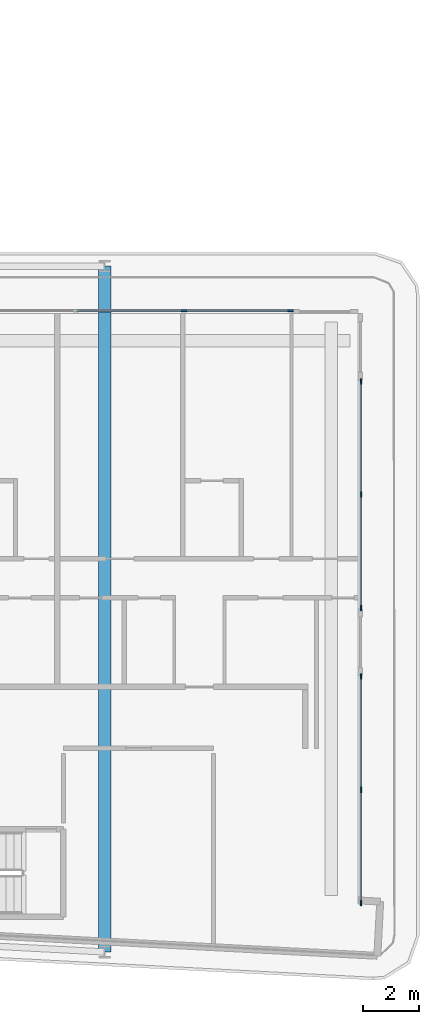
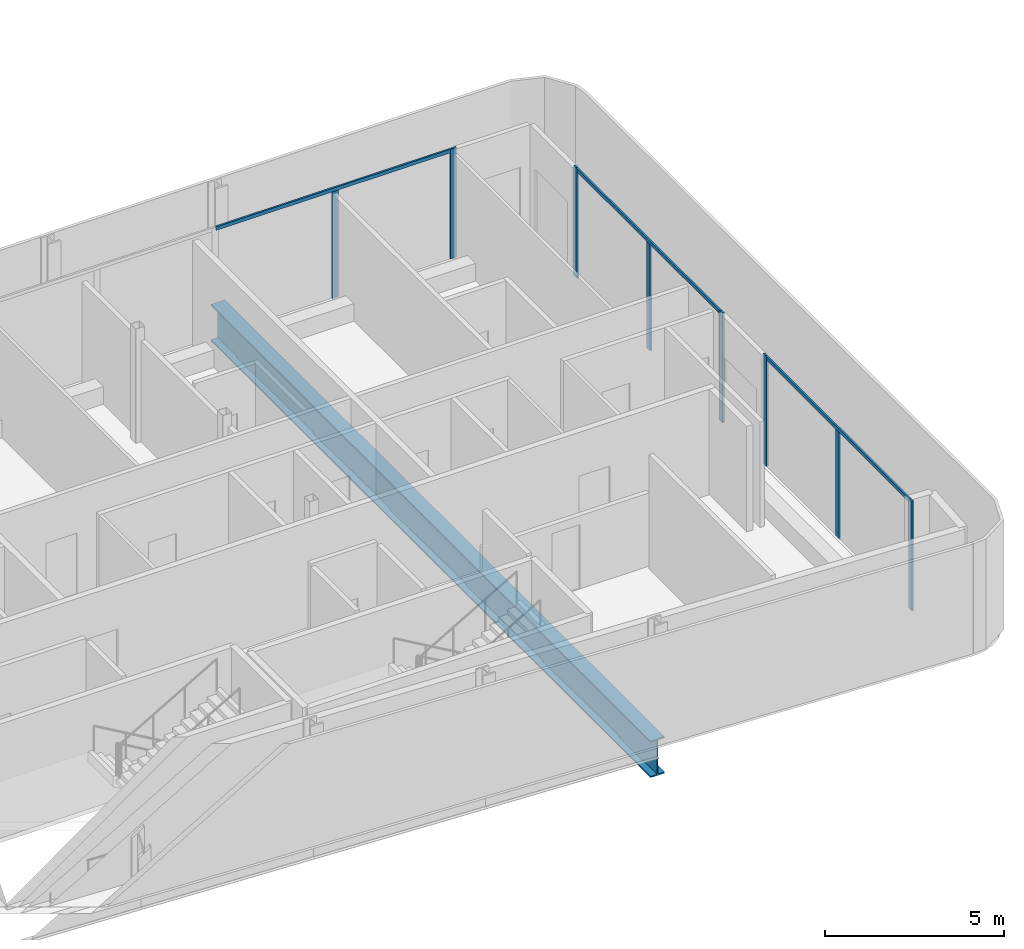
# One storey, part 10 of 30: 11 members, 1 beam, 3 elements without a shape of their own.
"""IFC4 building model written with IfcOpenShell, lengths in metres."""

from ifc_helpers import new_model, si_unit, direction, frame, origin, origin_2d, place, context, subcontext, project, spatial, rectangle, i_section, extrude, material, layer, layer_set, material_profile, profile_set, type_object, element, aggregate, save


model = new_model("IFC4")

# Units and contexts
model_context = context("Model", 3, precision=1e-05, world=origin(), true_north=direction((0.0, 1.0)))
body_context = subcontext(model_context, "Body", "Model", "MODEL_VIEW")
ifc_project = project(units=[si_unit("LENGTHUNIT", "METRE"), si_unit("AREAUNIT", "SQUARE_METRE"), si_unit("VOLUMEUNIT", "CUBIC_METRE"), si_unit("PLANEANGLEUNIT", "RADIAN"), si_unit("MASSUNIT", "GRAM", prefix="KILO")], contexts=[model_context])

# Site, building, storey
site_placement = place(None, origin())
site = spatial("IfcSite", under=ifc_project, at=site_placement, CompositionType="ELEMENT")
building_placement = place(site_placement, origin())
building = spatial("IfcBuilding", under=site, at=building_placement, Name="Kheshtan School and Residences Tower", CompositionType="ELEMENT")
storey_placement = place(building_placement, frame((0.0, 0.0, 199.39990234375)))
storey = spatial("IfcBuildingStorey", under=building, at=storey_placement, Name="L47", CompositionType="ELEMENT", Elevation=199.39990234375)

# Curtain wall, members
ifc_material_1 = material(Name="Clear low-e glass in thermally broken aluminium frame", Category="aluminium")
ifc_layer = layer(ifc_material_1, 0.199951171875)
ifc_layer_set = layer_set([ifc_layer], Name="Curtain wall CW-L")
curtain_wall_type = type_object("IfcCurtainWallType", Name="Curtain wall CW-L", PredefinedType="NOTDEFINED", material=ifc_layer_set)
curtain_wall_1_placement = place(storey_placement, origin())
curtain_wall_1 = element("IfcCurtainWall", 1, at=curtain_wall_1_placement, inside=storey, type_object=curtain_wall_type, Name="Curtain wall CWL12j", PredefinedType="NOTDEFINED")
ifc_material_2 = material(Name="Thermally broken aluminium, dark bronze anodised", Category="aluminium")
ifc_material_profile_1 = material_profile(ifc_material_2, rectangle(XDim=0.06005859375, YDim=0.199951171875, at=origin_2d()), Name="CW-L mullion 60x200")
ifc_profile_set_1 = profile_set([ifc_material_profile_1], Name="Thermally broken aluminium, dark bronze anodised")
member_type_1 = type_object("IfcMemberType", Name="CW-L mullion 60x200", PredefinedType="MULLION", material=ifc_profile_set_1)
member_1_placement = place(storey_placement, frame((93.653076171875, 44.0, 0.0), z_axis=(0.0, 0.0, 1.0), x_axis=(0.0, 1.0, 0.0)))
member_1 = element("IfcMember", 2, at=member_1_placement, type_object=member_type_1, Name="CWL12j mullion 2", PredefinedType="MULLION", context=body_context, shape_type="SweptSolid", body=[
    extrude(rectangle(XDim=0.06005859375, YDim=0.199951171875, at=origin_2d()), origin(), (0.0, 0.0, 1.0), 3.630126953125),
])
member_2_placement = place(storey_placement, frame((97.469970703125, 44.0, 0.0), z_axis=(0.0, 0.0, 1.0), x_axis=(0.0, 1.0, 0.0)))
member_2 = element("IfcMember", 3, at=member_2_placement, type_object=member_type_1, Name="CWL12j mullion 3", PredefinedType="MULLION", context=body_context, shape_type="SweptSolid", body=[
    extrude(rectangle(XDim=0.06005859375, YDim=0.199951171875, at=origin_2d()), origin(), (0.0, 0.0, 1.0), 3.75),
])

curtain_wall_2_placement = place(storey_placement, origin())
curtain_wall_2 = element("IfcCurtainWall", 4, at=curtain_wall_2_placement, inside=storey, type_object=curtain_wall_type, Name="Curtain wall CWL13b", PredefinedType="NOTDEFINED")
member_3_placement = place(storey_placement, frame((100.0, 41.469970703125, 0.0), z_axis=(0.0, 0.0, 1.0), x_axis=(1.0, 0.0, 0.0)))
member_3 = element("IfcMember", 5, at=member_3_placement, type_object=member_type_1, Name="CWL13b mullion 1", PredefinedType="MULLION", context=body_context, shape_type="SweptSolid", body=[
    extrude(rectangle(XDim=0.06005859375, YDim=0.199951171875, at=origin_2d()), origin(), (0.0, 0.0, 1.0), 3.75),
])
member_4_placement = place(storey_placement, frame((100.0, 37.403564453125, 0.0), z_axis=(0.0, 0.0, 1.0), x_axis=(1.0, 0.0, 0.0)))
member_4 = element("IfcMember", 6, at=member_4_placement, type_object=member_type_1, Name="CWL13b mullion 2", PredefinedType="MULLION", context=body_context, shape_type="SweptSolid", body=[
    extrude(rectangle(XDim=0.06005859375, YDim=0.199951171875, at=origin_2d()), origin(), (0.0, 0.0, 1.0), 3.630126953125),
])
member_5_placement = place(storey_placement, frame((100.0, 33.3369140625, 0.0), z_axis=(0.0, 0.0, 1.0), x_axis=(1.0, 0.0, 0.0)))
member_5 = element("IfcMember", 7, at=member_5_placement, type_object=member_type_1, Name="CWL13b mullion 3", PredefinedType="MULLION", context=body_context, shape_type="SweptSolid", body=[
    extrude(rectangle(XDim=0.06005859375, YDim=0.199951171875, at=origin_2d()), origin(), (0.0, 0.0, 1.0), 3.75),
])

curtain_wall_3_placement = place(storey_placement, origin())
curtain_wall_3 = element("IfcCurtainWall", 8, at=curtain_wall_3_placement, inside=storey, type_object=curtain_wall_type, Name="Curtain wall CWL13b", PredefinedType="NOTDEFINED")
member_6_placement = place(storey_placement, frame((100.0, 30.876953125, 0.0), z_axis=(0.0, 0.0, 1.0), x_axis=(1.0, 0.0, 0.0)))
member_6 = element("IfcMember", 9, at=member_6_placement, type_object=member_type_1, Name="CWL13b mullion 1", PredefinedType="MULLION", context=body_context, shape_type="SweptSolid", body=[
    extrude(rectangle(XDim=0.06005859375, YDim=0.199951171875, at=origin_2d()), origin(), (0.0, 0.0, 1.0), 3.75),
])
member_7_placement = place(storey_placement, frame((100.0, 26.810546875, 0.0), z_axis=(0.0, 0.0, 1.0), x_axis=(1.0, 0.0, 0.0)))
member_7 = element("IfcMember", 10, at=member_7_placement, type_object=member_type_1, Name="CWL13b mullion 2", PredefinedType="MULLION", context=body_context, shape_type="SweptSolid", body=[
    extrude(rectangle(XDim=0.06005859375, YDim=0.199951171875, at=origin_2d()), origin(), (0.0, 0.0, 1.0), 3.630126953125),
])
member_8_placement = place(storey_placement, frame((100.0, 22.743896484375, 0.0), z_axis=(0.0, 0.0, 1.0), x_axis=(1.0, 0.0, 0.0)))
member_8 = element("IfcMember", 11, at=member_8_placement, type_object=member_type_1, Name="CWL13b mullion 3", PredefinedType="MULLION", context=body_context, shape_type="SweptSolid", body=[
    extrude(rectangle(XDim=0.06005859375, YDim=0.199951171875, at=origin_2d()), origin(), (0.0, 0.0, 1.0), 3.75),
])

# Member
ifc_material_profile_2 = material_profile(ifc_material_2, rectangle(XDim=0.06005859375, YDim=0.1201171875, at=origin_2d()), Name="CW-L transom 60x120")
ifc_profile_set_2 = profile_set([ifc_material_profile_2], Name="Thermally broken aluminium, dark bronze anodised")
member_type_2 = type_object("IfcMemberType", Name="CW-L transom 60x120", PredefinedType="USERDEFINED", material=ifc_profile_set_2)
member_9_placement = place(storey_placement, frame((89.805908203125, 44.0, 3.690185546875), z_axis=(1.0, 0.0, 0.0), x_axis=(0.0, 1.0, 0.0)))
member_9 = element("IfcMember", 12, at=member_9_placement, type_object=member_type_2, Name="CWL12j transom 1", ObjectType="TRANSOM", PredefinedType="USERDEFINED", context=body_context, shape_type="SweptSolid", body=[
    extrude(rectangle(XDim=0.06005859375, YDim=0.1201171875, at=origin_2d()), origin(), (0.0, 0.0, 1.0), 7.634033203125),
])

aggregate(curtain_wall_1, [member_1, member_2, member_9])

member_10_placement = place(storey_placement, frame((100.0, 41.43994140625, 3.690185546875), z_axis=(0.0, -1.0, 0.0), x_axis=(1.0, 0.0, 0.0)))
member_10 = element("IfcMember", 13, at=member_10_placement, type_object=member_type_2, Name="CWL13b transom 1", ObjectType="TRANSOM", PredefinedType="USERDEFINED", context=body_context, shape_type="SweptSolid", body=[
    extrude(rectangle(XDim=0.06005859375, YDim=0.1201171875, at=origin_2d()), origin(), (0.0, 0.0, 1.0), 8.072998046875),
])

aggregate(curtain_wall_2, [member_3, member_4, member_5, member_10])

member_11_placement = place(storey_placement, frame((100.0, 30.846923828125, 3.690185546875), z_axis=(0.0, -1.0, 0.0), x_axis=(1.0, 0.0, 0.0)))
member_11 = element("IfcMember", 14, at=member_11_placement, type_object=member_type_2, Name="CWL13b transom 1", ObjectType="TRANSOM", PredefinedType="USERDEFINED", context=body_context, shape_type="SweptSolid", body=[
    extrude(rectangle(XDim=0.06005859375, YDim=0.1201171875, at=origin_2d()), origin(), (0.0, 0.0, 1.0), 8.072998046875),
])

aggregate(curtain_wall_3, [member_6, member_7, member_8, member_11])

# Beam
ifc_material_3 = material(Name="Steel ASTM A992 Grade 50", Category="steel")
ifc_material_profile_3 = material_profile(ifc_material_3, i_section(OverallWidth=0.449951171875, OverallDepth=1.25, WebThickness=0.02490234375, FlangeThickness=0.044921875, FilletRadius=0.03759765625, at=origin_2d()), Name="WWF1250x546")
ifc_profile_set_3 = profile_set([ifc_material_profile_3], Name="Steel ASTM A992 Grade 50")
beam_type = type_object("IfcBeamType", Name="Transfer girder TG4 WWF1250x546 ASTM A992 Grade 50", PredefinedType="BEAM", material=ifc_profile_set_3)
beam_placement = place(storey_placement, frame((90.800048828125, 45.60009765625, -0.77490234375), z_axis=(0.0, -1.0, 0.0), x_axis=(1.0, 0.0, 0.0)))
element("IfcBeam", 15, at=beam_placement, inside=storey, type_object=beam_type, Name="Transfer girder C068-C006", PredefinedType="BEAM", context=body_context, shape_type="SweptSolid", body=[
    extrude(i_section(OverallWidth=0.449951171875, OverallDepth=1.25, WebThickness=0.02490234375, FlangeThickness=0.044921875, FilletRadius=0.03759765625, at=origin_2d()), origin(), (0.0, 0.0, 1.0), 24.610107421875),
])

save(model, "model.ifc")
